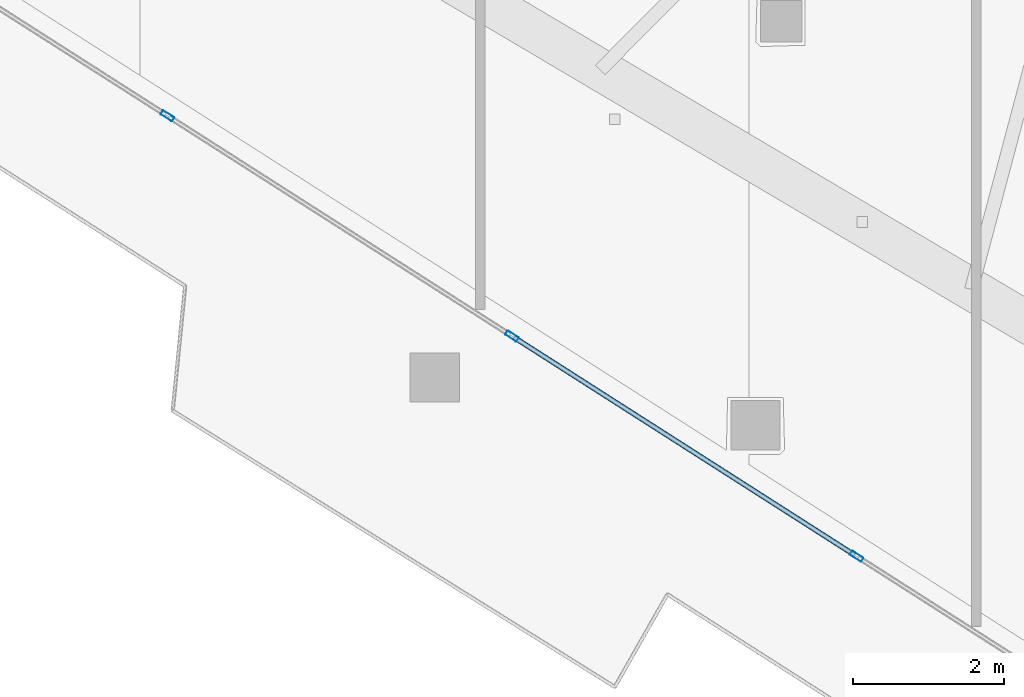
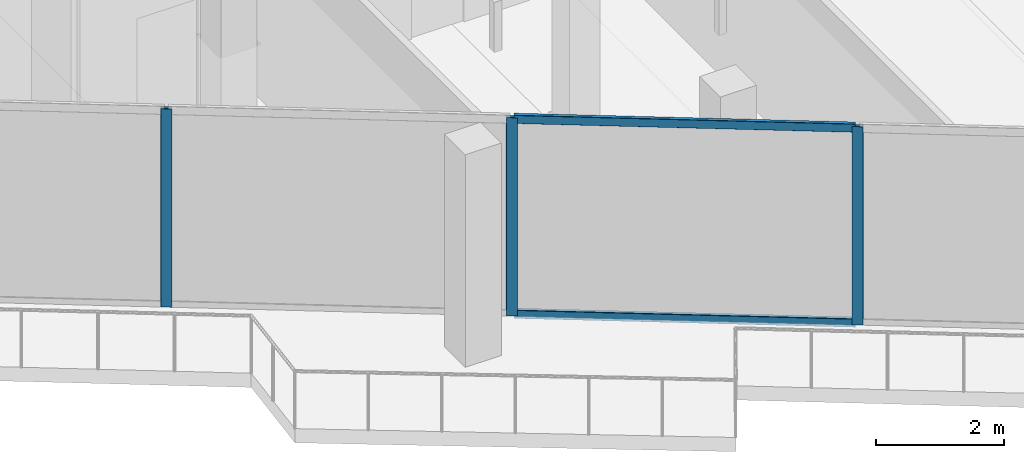
# One storey, part 2 of 39: 5 members, 1 element without a shape of its own.
"""IFC4 building model written with IfcOpenShell, lengths in metres."""

from ifc_helpers import new_model, si_unit, direction, frame, origin, origin_2d, place, context, subcontext, project, spatial, hollow_rectangle, extrude, material, layer, layer_set, material_profile, profile_set, type_object, element, aggregate, save


model = new_model("IFC4")

# Units and contexts
model_context = context("Model", 3, precision=1e-05, world=origin(), true_north=direction((0.0, 1.0)))
body_context = subcontext(model_context, "Body", "Model", "MODEL_VIEW")
ifc_project = project(units=[si_unit("LENGTHUNIT", "METRE"), si_unit("AREAUNIT", "SQUARE_METRE"), si_unit("VOLUMEUNIT", "CUBIC_METRE"), si_unit("PLANEANGLEUNIT", "RADIAN"), si_unit("MASSUNIT", "GRAM", prefix="KILO")], contexts=[model_context])

# Site, building, storey
site_placement = place(None, origin())
site = spatial("IfcSite", under=ifc_project, at=site_placement, CompositionType="ELEMENT")
building_placement = place(site_placement, origin())
building = spatial("IfcBuilding", under=site, at=building_placement, Name="Qorvath Tower", CompositionType="ELEMENT")
storey_placement = place(building_placement, frame((0.0, 0.0, 142.199951171875)))
storey = spatial("IfcBuildingStorey", under=building, at=storey_placement, Name="L32", CompositionType="ELEMENT", Elevation=142.199951171875)

# Curtain wall, members
ifc_material_1 = material(Name="Anodised aluminium and triple low-E glass", Category="aluminium")
ifc_layer = layer(ifc_material_1, 0.179931640625)
ifc_layer_set = layer_set([ifc_layer], Name="CW-SYS-3")
curtain_wall_type = type_object("IfcCurtainWallType", Name="CW-SYS-3", PredefinedType="NOTDEFINED", material=ifc_layer_set)
curtain_wall_placement = place(storey_placement, origin())
curtain_wall = element("IfcCurtainWall", 1, at=curtain_wall_placement, inside=storey, type_object=curtain_wall_type, Name="Curtain Wall CW-3 CW-T-L32-2.1", PredefinedType="NOTDEFINED")
ifc_material_2 = material(Name="Anodised aluminium 6063-T6", Category="aluminium")
ifc_material_profile_1 = material_profile(ifc_material_2, hollow_rectangle(XDim=0.06494140625, YDim=0.179931640625, WallThickness=0.00341796875, InnerFilletRadius=0.00341796875, OuterFilletRadius=0.007080078125, at=origin_2d()), Name="CWM 180x65")
ifc_profile_set_1 = profile_set([ifc_material_profile_1], Name="Anodised aluminium 6063-T6")
member_type_1 = type_object("IfcMemberType", Name="CWM-180", PredefinedType="MULLION", material=ifc_profile_set_1)
member_1_placement = place(storey_placement, frame((-38.78173828125, -15.373779296875, 0.0), z_axis=(0.0, 0.0, 1.0), x_axis=(0.53853296968, 0.842604438967, 0.0)))
member_1 = element("IfcMember", 2, at=member_1_placement, type_object=member_type_1, Name="CW-3 mullion 5", PredefinedType="MULLION", context=body_context, shape_type="SweptSolid", body=[
    extrude(hollow_rectangle(XDim=0.06494140625, YDim=0.179931640625, WallThickness=0.00341796875, InnerFilletRadius=0.00341796875, OuterFilletRadius=0.007080078125, at=origin_2d()), origin(), (0.0, 0.0, 1.0), 3.780029296875),
])
member_2_placement = place(storey_placement, frame((-34.23095703125, -18.2822265625, 0.0), z_axis=(0.0, 0.0, 1.0), x_axis=(0.53853296968, 0.842604438967, 0.0)))
member_2 = element("IfcMember", 3, at=member_2_placement, type_object=member_type_1, Name="CW-3 mullion 6", PredefinedType="MULLION", context=body_context, shape_type="SweptSolid", body=[
    extrude(hollow_rectangle(XDim=0.06494140625, YDim=0.179931640625, WallThickness=0.00341796875, InnerFilletRadius=0.00341796875, OuterFilletRadius=0.007080078125, at=origin_2d()), origin(), (0.0, 0.0, 1.0), 3.780029296875),
])
member_3_placement = place(storey_placement, frame((-29.68017578125, -21.19091796875, 0.0), z_axis=(0.0, 0.0, 1.0), x_axis=(0.53853296968, 0.842604438967, 0.0)))
member_3 = element("IfcMember", 4, at=member_3_placement, type_object=member_type_1, Name="CW-3 mullion 7", PredefinedType="MULLION", context=body_context, shape_type="SweptSolid", body=[
    extrude(hollow_rectangle(XDim=0.06494140625, YDim=0.179931640625, WallThickness=0.00341796875, InnerFilletRadius=0.00341796875, OuterFilletRadius=0.007080078125, at=origin_2d()), origin(), (0.0, 0.0, 1.0), 3.780029296875),
])
ifc_material_3 = material(Name="Anodised aluminium 6063-T6", Category="aluminium")
ifc_material_profile_2 = material_profile(ifc_material_3, hollow_rectangle(XDim=0.06494140625, YDim=0.159912109375, WallThickness=0.00341796875, InnerFilletRadius=0.00341796875, OuterFilletRadius=0.007080078125, at=origin_2d()), Name="CWT 160x65")
ifc_profile_set_2 = profile_set([ifc_material_profile_2], Name="Anodised aluminium 6063-T6")
member_type_2 = type_object("IfcMemberType", Name="CWT-160", PredefinedType="USERDEFINED", material=ifc_profile_set_2)
member_4_placement = place(storey_placement, frame((-34.20361328125, -18.2998046875, 0.032470703125), z_axis=(0.842608601225, -0.538526457234, 0.0), x_axis=(0.538526457234, 0.842608601225, 0.0)))
member_4 = element("IfcMember", 5, at=member_4_placement, type_object=member_type_2, Name="CW-3 transom 6.1", ObjectType="TRANSOM", PredefinedType="USERDEFINED", context=body_context, shape_type="SweptSolid", body=[
    extrude(hollow_rectangle(XDim=0.06494140625, YDim=0.159912109375, WallThickness=0.00341796875, InnerFilletRadius=0.00341796875, OuterFilletRadius=0.007080078125, at=origin_2d()), origin(), (0.0, 0.0, 1.0), 5.3359375),
])
member_5_placement = place(storey_placement, frame((-34.20361328125, -18.2998046875, 3.74755859375), z_axis=(0.842608601225, -0.538526457234, 0.0), x_axis=(0.538526457234, 0.842608601225, 0.0)))
member_5 = element("IfcMember", 6, at=member_5_placement, type_object=member_type_2, Name="CW-3 transom 6.2", ObjectType="TRANSOM", PredefinedType="USERDEFINED", context=body_context, shape_type="SweptSolid", body=[
    extrude(hollow_rectangle(XDim=0.06494140625, YDim=0.159912109375, WallThickness=0.00341796875, InnerFilletRadius=0.00341796875, OuterFilletRadius=0.007080078125, at=origin_2d()), origin(), (0.0, 0.0, 1.0), 5.3359375),
])
aggregate(curtain_wall, [member_1, member_2, member_3, member_4, member_5])

save(model, "model.ifc")
